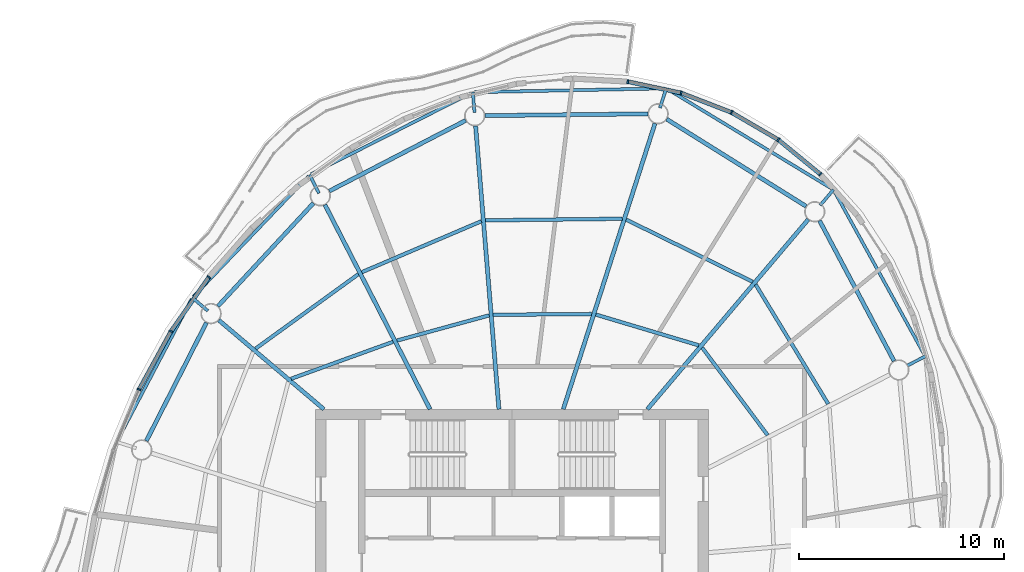
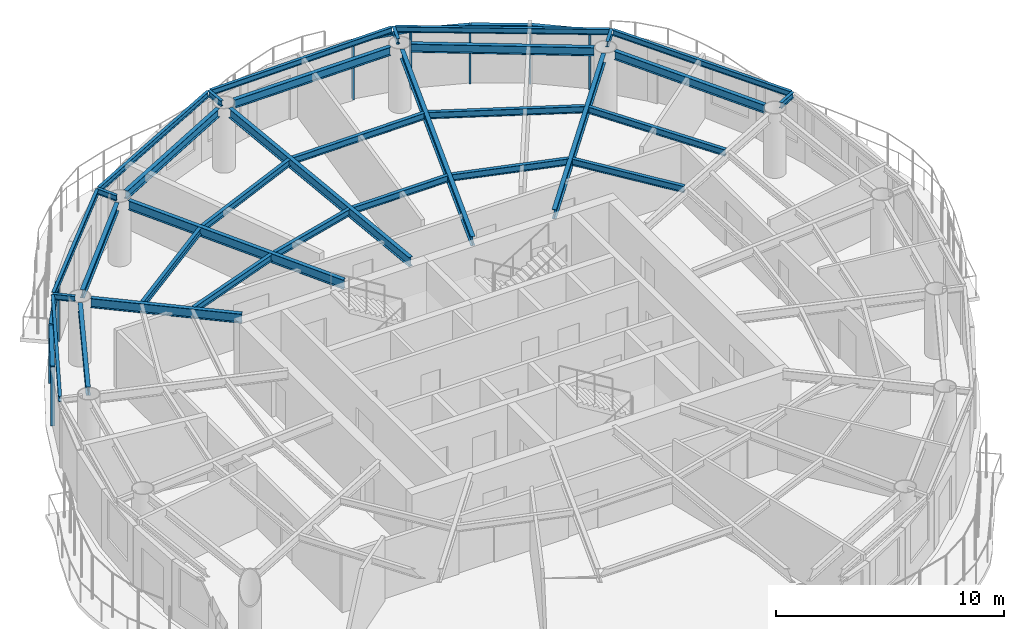
# One storey, part 5 of 13: 33 beams, 14 members, 7 elements without a shape of their own.
"""IFC4 building model written with IfcOpenShell, lengths in metres."""

import ifcopenshell
import ifcopenshell.guid

model = None  # the IFC model being written
_history = None  # IfcOwnerHistory: only IFC2X3 demands one
_inside = {}  # id of a spatial element -> (the spatial element, [elements in it])
_under = {}  # id of a project, library or spatial element -> (it, [spatial elements below it])
_declared = {}  # id of a project -> (the project, [libraries it declares])
_typed = {}  # id of a type object -> (the type object, [elements of that type])
_made_of = {}  # id of a material, layer set ... -> (it, [elements and type objects made of it])


def new_model(schema):
    """Start an empty IFC model of exactly this schema.

    Asked for "IFC4X3", IfcOpenShell would pick the latest addendum, in which some entities
    have other attributes; the version numbers below select the first issue.
    IFC2X3 requires an IfcOwnerHistory on every rooted entity: one is made here for all.
    """
    global model, _history
    if schema == "IFC4X3":
        model = ifcopenshell.file(schema_version=(4, 3, 0, 0))
    else:
        model = ifcopenshell.file(schema=schema)
    _inside.clear()
    _under.clear()
    _declared.clear()
    _typed.clear()
    _made_of.clear()
    _history = None
    if model.schema == "IFC2X3":
        org = make("IfcOrganization", Name="unknown")
        user = make(
            "IfcPersonAndOrganization",
            ThePerson=make("IfcPerson", FamilyName="unknown"),
            TheOrganization=org,
        )
        app = make(
            "IfcApplication",
            ApplicationDeveloper=org,
            Version="unknown",
            ApplicationFullName="unknown",
            ApplicationIdentifier="unknown",
        )
        _history = make(
            "IfcOwnerHistory",
            OwningUser=user,
            OwningApplication=app,
            ChangeAction="ADDED",
            CreationDate=0,
        )
    return model


def make(cls, **values):
    """One entity of the class cls with the attributes given. An attribute that is None is left unset."""
    return model.create_entity(
        cls, **{name: value for name, value in values.items() if value is not None}
    )


def rooted(cls, **values):
    """An entity with a GlobalId (a new one), such as an element, a storey or a relation."""
    return make(cls, GlobalId=ifcopenshell.guid.new(), OwnerHistory=_history, **values)


def si_unit(unit_type, name, prefix=None):
    """IfcSIUnit, for example si_unit("LENGTHUNIT", "METRE", prefix="MILLI")."""
    return make("IfcSIUnit", UnitType=unit_type, Prefix=prefix, Name=name)


def assignment(units):
    """IfcUnitAssignment: the units of a project."""
    return None if units is None else make("IfcUnitAssignment", Units=units)


def point(xyz):
    """IfcCartesianPoint."""
    return None if xyz is None else make("IfcCartesianPoint", Coordinates=xyz)


def direction(xyz):
    """IfcDirection."""
    return None if xyz is None else make("IfcDirection", DirectionRatios=xyz)


def frame(location, z_axis=None, x_axis=None):
    """IfcAxis2Placement3D, a coordinate frame: its origin and axes. An axis left out is left unset."""
    return make(
        "IfcAxis2Placement3D",
        Location=point(location),
        Axis=direction(z_axis),
        RefDirection=direction(x_axis),
    )


def frame_2d(location, x_axis=None):
    """IfcAxis2Placement2D, a coordinate frame in the plane: its origin and x axis."""
    return make(
        "IfcAxis2Placement2D", Location=point(location), RefDirection=direction(x_axis)
    )


def origin():
    """The frame at (0, 0, 0) with its axes left unset."""
    return frame((0.0, 0.0, 0.0))


def origin_2d():
    """The frame at (0, 0) in the plane with its x axis left unset."""
    return frame_2d((0.0, 0.0))


def place(relative_to, where):
    """IfcLocalPlacement: puts the frame where relative to a parent placement (None: the world)."""
    return make(
        "IfcLocalPlacement", PlacementRelTo=relative_to, RelativePlacement=where
    )


def context(
    kind, dimensions, precision=None, world=None, true_north=None, identifier=None
):
    """IfcGeometricRepresentationContext, for example the 3D "Model" context."""
    return make(
        "IfcGeometricRepresentationContext",
        ContextIdentifier=identifier,
        ContextType=kind,
        CoordinateSpaceDimension=dimensions,
        Precision=precision,
        WorldCoordinateSystem=world,
        TrueNorth=true_north,
    )


def subcontext(parent, identifier, kind, view, scale=None):
    """IfcGeometricRepresentationSubContext, for example "Body" below "Model"."""
    return make(
        "IfcGeometricRepresentationSubContext",
        ContextIdentifier=identifier,
        ContextType=kind,
        ParentContext=parent,
        TargetScale=scale,
        TargetView=view,
    )


def project(units=None, contexts=None):
    """IfcProject with its units and contexts."""
    return rooted(
        "IfcProject",
        Name="project",
        RepresentationContexts=contexts,
        UnitsInContext=assignment(units),
    )


def spatial(cls, under=None, at=None, **own):
    """A site, building, storey or space (cls), placed at a placement, below another one or the project."""
    s = rooted(cls, ObjectPlacement=at, **own)
    if under is not None:
        _under.setdefault(under.id(), (under, []))[1].append(s)
    return s


def profile(cls, at=None, kind="AREA", **sizes):
    """A parametric profile (cls). Its sizes go by their IFC names, for example OverallWidth=200.0."""
    return make(cls, ProfileType=kind, Position=at, **sizes)


def rectangle(**sizes):
    """IfcRectangleProfileDef."""
    return profile("IfcRectangleProfileDef", **sizes)


def i_section(**sizes):
    """IfcIShapeProfileDef."""
    return profile("IfcIShapeProfileDef", **sizes)


def extrude(swept, where, along, depth):
    """IfcExtrudedAreaSolid: the profile swept, set in the frame where, extruded along a direction by depth."""
    return make(
        "IfcExtrudedAreaSolid",
        SweptArea=swept,
        Position=where,
        ExtrudedDirection=direction(along),
        Depth=depth,
    )


def shape(context_of_items, identifier, shape_type, items):
    """IfcShapeRepresentation: the items that make up one representation, for example the "Body"."""
    return make(
        "IfcShapeRepresentation",
        ContextOfItems=context_of_items,
        RepresentationIdentifier=identifier,
        RepresentationType=shape_type,
        Items=items,
    )


def material(Name=None, Category=None):
    """IfcMaterial."""
    return make("IfcMaterial", Name=Name, Category=Category)


def material_profile(
    of_material, cross_section, Name=None, Category=None, Priority=None
):
    """IfcMaterialProfile: a cross section and its material."""
    return make(
        "IfcMaterialProfile",
        Name=Name,
        Material=of_material,
        Profile=cross_section,
        Priority=Priority,
        Category=Category,
    )


def profile_set(profiles, Name=None, composite=None):
    """IfcMaterialProfileSet."""
    return make(
        "IfcMaterialProfileSet",
        Name=Name,
        MaterialProfiles=profiles,
        CompositeProfile=composite,
    )


def made_of(thing, what):
    """Note that an element or type object is made of a material, layer set ...; save() writes the relation."""
    if what is not None:
        _made_of.setdefault(what.id(), (what, []))[1].append(thing)
    return thing


def type_object(cls, material=None, **own):
    """A type object (cls), such as IfcWallType, which elements share."""
    return made_of(rooted(cls, **own), material)


def element(
    cls,
    number,
    at=None,
    inside=None,
    cuts=None,
    type_object=None,
    material=None,
    context=None,
    identifier="Body",
    shape_type=None,
    held_by="IfcProductDefinitionShape",
    body=None,
    shapes=None,
    **own,
):
    """One element of the class cls, such as IfcWall. Its Tag is "e" and its number.

    at: its placement. inside: the storey or other place that contains it. cuts: it is an
    opening in that element (IfcRelVoidsElement). A single representation is given by context,
    identifier, shape_type and body (its items); several are given by shapes. held_by: the class
    of the entity that holds the representations. save() writes the other relations.
    """
    e = rooted(cls, Tag="e%d" % number, ObjectPlacement=at, **own)
    if body is not None:
        shapes = [shape(context, identifier, shape_type, body)]
    if shapes is not None:
        e.Representation = make(held_by, Representations=shapes)
    if inside is not None:
        _inside.setdefault(inside.id(), (inside, []))[1].append(e)
    if cuts is not None:
        rooted(
            "IfcRelVoidsElement", RelatingBuildingElement=cuts, RelatedOpeningElement=e
        )
    if type_object is not None:
        _typed.setdefault(type_object.id(), (type_object, []))[1].append(e)
    return made_of(e, material)


def aggregate(whole, parts):
    """IfcRelAggregates: a whole, such as a stair, and the parts it consists of."""
    return rooted("IfcRelAggregates", RelatingObject=whole, RelatedObjects=parts)


def save(model, path):
    """Write the relations noted so far, then the file.

    IfcRelAggregates (storeys below a building ...), IfcRelContainedInSpatialStructure (elements
    in a storey), IfcRelDefinesByType, IfcRelAssociatesMaterial and IfcRelDeclares: one each for
    every whole, place, type object, material and project.
    """
    for whole, parts in _under.values():
        aggregate(whole, parts)
    for where, things in _inside.values():
        rooted(
            "IfcRelContainedInSpatialStructure",
            RelatedElements=things,
            RelatingStructure=where,
        )
    for kind, things in _typed.values():
        rooted("IfcRelDefinesByType", RelatedObjects=things, RelatingType=kind)
    for what, things in _made_of.values():
        rooted("IfcRelAssociatesMaterial", RelatedObjects=things, RelatingMaterial=what)
    for by, libraries in _declared.values():
        rooted("IfcRelDeclares", RelatingContext=by, RelatedDefinitions=libraries)
    model.write(path)


model = new_model("IFC4")

# Units and contexts
model_context = context("Model", 3, precision=1e-05, world=origin(), true_north=direction((0.0, 1.0)))
body_context = subcontext(model_context, "Body", "Model", "MODEL_VIEW")
ifc_project = project(units=[si_unit("LENGTHUNIT", "METRE"), si_unit("AREAUNIT", "SQUARE_METRE"), si_unit("VOLUMEUNIT", "CUBIC_METRE"), si_unit("PLANEANGLEUNIT", "RADIAN"), si_unit("MASSUNIT", "GRAM", prefix="KILO")], contexts=[model_context])

# Site, building, storey
site_placement = place(None, origin())
site = spatial("IfcSite", under=ifc_project, at=site_placement, CompositionType="ELEMENT")
building_placement = place(site_placement, origin())
building = spatial("IfcBuilding", under=site, at=building_placement, Name="Vermilion Reach Broadcast Tower", CompositionType="ELEMENT")
storey_placement = place(building_placement, frame((0.0, 0.0, 290.10009765625)))
storey = spatial("IfcBuildingStorey", under=building, at=storey_placement, Name="L72", CompositionType="ELEMENT", Elevation=290.10009765625)

# Beams
ifc_material_1 = material(Name="Steel S355J2", Category="steel")
ifc_material_profile_1 = material_profile(ifc_material_1, i_section(OverallWidth=0.14990234375, OverallDepth=0.300048828125, WebThickness=0.006591796875, FlangeThickness=0.009033203125, at=origin_2d()), Name="S355J2 HN 300x150x6.5x9")
ifc_profile_set_1 = profile_set([ifc_material_profile_1], Name="Steel S355J2")
beam_type_1 = type_object("IfcBeamType", Name="EB5 HN 300x150x6.5x9", PredefinedType="BEAM", material=ifc_profile_set_1)
beam_1_placement = place(storey_placement, frame((1.457275390625, 23.486328125, 3.2998046875), z_axis=(-0.999802674482, -0.01986484579, 0.0), x_axis=(0.01986484579, -0.999802674482, 0.0)))
element("IfcBeam", 1, at=beam_1_placement, inside=storey, type_object=beam_type_1, Name="Edge beam EB5-01", PredefinedType="BEAM", context=body_context, shape_type="SweptSolid", body=[
    extrude(i_section(OverallWidth=0.14990234375, OverallDepth=0.300048828125, WebThickness=0.006591796875, FlangeThickness=0.009033203125, at=origin_2d()), origin(), (0.0, 0.0, 1.0), 9.3037109375),
])
beam_2_placement = place(storey_placement, frame((-7.991943359375, 23.263427734375, 3.2998046875), z_axis=(-0.891880011137, -0.452272092588, 0.0), x_axis=(0.452272092588, -0.891880011137, 0.0)))
element("IfcBeam", 2, at=beam_2_placement, inside=storey, type_object=beam_type_1, Name="Edge beam EB5-02", PredefinedType="BEAM", context=body_context, shape_type="SweptSolid", body=[
    extrude(i_section(OverallWidth=0.14990234375, OverallDepth=0.300048828125, WebThickness=0.006591796875, FlangeThickness=0.009033203125, at=origin_2d()), origin(), (0.0, 0.0, 1.0), 8.790771484375),
])
beam_3_placement = place(storey_placement, frame((-15.9541015625, 19.1962890625, 3.2998046875), z_axis=(-0.690981013748, -0.722872906284, 0.0), x_axis=(0.722872906284, -0.690981013748, 0.0)))
element("IfcBeam", 3, at=beam_3_placement, inside=storey, type_object=beam_type_1, Name="Edge beam EB5-03", PredefinedType="BEAM", context=body_context, shape_type="SweptSolid", body=[
    extrude(i_section(OverallWidth=0.14990234375, OverallDepth=0.300048828125, WebThickness=0.006591796875, FlangeThickness=0.009033203125, at=origin_2d()), origin(), (0.0, 0.0, 1.0), 8.145263671875),
])
beam_4_placement = place(storey_placement, frame((-21.669921875, 13.18603515625, 3.2998046875), z_axis=(-0.464548962195, -0.885547436179, 0.0), x_axis=(0.885547436179, -0.464548962195, 0.0)))
element("IfcBeam", 4, at=beam_4_placement, inside=storey, type_object=beam_type_1, Name="Edge beam EB5-04", PredefinedType="BEAM", context=body_context, shape_type="SweptSolid", body=[
    extrude(i_section(OverallWidth=0.14990234375, OverallDepth=0.300048828125, WebThickness=0.006591796875, FlangeThickness=0.009033203125, at=origin_2d()), origin(), (0.0, 0.0, 1.0), 7.80908203125),
])
beam_5_placement = place(storey_placement, frame((14.166015625, 10.45263671875, 3.2998046875), z_axis=(-0.482546675149, 0.875870256546, 0.0), x_axis=(-0.875870256546, -0.482546675149, 0.0)))
element("IfcBeam", 5, at=beam_5_placement, inside=storey, type_object=beam_type_1, Name="Edge beam EB5-15", PredefinedType="BEAM", context=body_context, shape_type="SweptSolid", body=[
    extrude(i_section(OverallWidth=0.14990234375, OverallDepth=0.300048828125, WebThickness=0.006591796875, FlangeThickness=0.009033203125, at=origin_2d()), origin(), (0.0, 0.0, 1.0), 9.1474609375),
])
beam_6_placement = place(storey_placement, frame((9.648193359375, 18.57421875, 3.2998046875), z_axis=(-0.855309714799, 0.51811706377, 0.0), x_axis=(-0.51811706377, -0.855309714799, 0.0)))
element("IfcBeam", 6, at=beam_6_placement, inside=storey, type_object=beam_type_1, Name="Edge beam EB5-16", PredefinedType="BEAM", context=body_context, shape_type="SweptSolid", body=[
    extrude(i_section(OverallWidth=0.14990234375, OverallDepth=0.300048828125, WebThickness=0.006591796875, FlangeThickness=0.009033203125, at=origin_2d()), origin(), (0.0, 0.0, 1.0), 9.40673828125),
])
ifc_material_2 = material(Name="Steel S355J2", Category="steel")
ifc_material_profile_2 = material_profile(ifc_material_2, i_section(OverallWidth=0.199951171875, OverallDepth=0.5, WebThickness=0.010009765625, FlangeThickness=0.01611328125, at=origin_2d()), Name="S355J2 HN 500x200x10x16")
ifc_profile_set_2 = profile_set([ifc_material_profile_2], Name="Steel S355J2")
beam_type_2 = type_object("IfcBeamType", Name="G5 HN 500x200x10x16", PredefinedType="BEAM", material=ifc_profile_set_2)
beam_7_placement = place(storey_placement, frame((-3.497314453125, 7.800048828125, 3.199951171875), z_axis=(0.305545401295, 0.952177508528, 0.0), x_axis=(-0.952177508528, 0.305545401295, 0.0)))
element("IfcBeam", 7, at=beam_7_placement, inside=storey, type_object=beam_type_2, Name="Girder G5-01", PredefinedType="BEAM", context=body_context, shape_type="SweptSolid", body=[
    extrude(i_section(OverallWidth=0.199951171875, OverallDepth=0.5, WebThickness=0.010009765625, FlangeThickness=0.01611328125, at=origin_2d()), origin(), (0.0, 0.0, 1.0), 14.672607421875),
])
beam_8_placement = place(storey_placement, frame((-6.642578125, 7.800048828125, 3.199951171875), z_axis=(-0.082123744247, 0.996622140347, 0.0), x_axis=(-0.996622140347, -0.082123744247, 0.0)))
element("IfcBeam", 8, at=beam_8_placement, inside=storey, type_object=beam_type_2, Name="Girder G5-02", PredefinedType="BEAM", context=body_context, shape_type="SweptSolid", body=[
    extrude(i_section(OverallWidth=0.199951171875, OverallDepth=0.5, WebThickness=0.010009765625, FlangeThickness=0.01611328125, at=origin_2d()), origin(), (0.0, 0.0, 1.0), 13.89794921875),
])
beam_9_placement = place(storey_placement, frame((-10.010498046875, 7.800048828125, 3.199951171875), z_axis=(-0.457258168112, 0.889334002327, 0.0), x_axis=(-0.889334002327, -0.457258168112, 0.0)))
element("IfcBeam", 9, at=beam_9_placement, inside=storey, type_object=beam_type_2, Name="Girder G5-03", PredefinedType="BEAM", context=body_context, shape_type="SweptSolid", body=[
    extrude(i_section(OverallWidth=0.199951171875, OverallDepth=0.5, WebThickness=0.010009765625, FlangeThickness=0.01611328125, at=origin_2d()), origin(), (0.0, 0.0, 1.0), 11.236328125),
])
beam_10_placement = place(storey_placement, frame((-15.20068359375, 7.800048828125, 3.199951171875), z_axis=(-0.762793125612, 0.646642596431, 0.0), x_axis=(-0.646642596431, -0.762793125612, 0.0)))
element("IfcBeam", 10, at=beam_10_placement, inside=storey, type_object=beam_type_2, Name="Girder G5-04", PredefinedType="BEAM", context=body_context, shape_type="SweptSolid", body=[
    extrude(i_section(OverallWidth=0.199951171875, OverallDepth=0.5, WebThickness=0.010009765625, FlangeThickness=0.01611328125, at=origin_2d()), origin(), (0.0, 0.0, 1.0), 6.732421875),
])
beam_11_placement = place(storey_placement, frame((0.612548828125, 7.800048828125, 3.199951171875), z_axis=(0.646658335602, 0.762779782766, 0.0), x_axis=(-0.762779782766, 0.646658335602, 0.0)))
element("IfcBeam", 11, at=beam_11_placement, inside=storey, type_object=beam_type_2, Name="Girder G5-16", PredefinedType="BEAM", context=body_context, shape_type="SweptSolid", body=[
    extrude(i_section(OverallWidth=0.199951171875, OverallDepth=0.5, WebThickness=0.010009765625, FlangeThickness=0.01611328125, at=origin_2d()), origin(), (0.0, 0.0, 1.0), 12.16064453125),
])
ifc_material_3 = material(Name="Steel S355J2", Category="steel")
ifc_material_profile_3 = material_profile(ifc_material_3, i_section(OverallWidth=0.14990234375, OverallDepth=0.300048828125, WebThickness=0.006591796875, FlangeThickness=0.009033203125, at=origin_2d()), Name="S355J2 HN 300x150x6.5x9")
ifc_profile_set_3 = profile_set([ifc_material_profile_3], Name="Steel S355J2")
beam_type_3 = type_object("IfcBeamType", Name="GS5 HN 300x150x6.5x9", PredefinedType="BEAM", material=ifc_profile_set_3)
beam_12_placement = place(storey_placement, frame((1.231201171875, 22.53564453125, 3.2998046875), z_axis=(0.305369089551, 0.952234067416, 0.0), x_axis=(-0.952234067416, 0.305369089551, 0.0)))
element("IfcBeam", 12, at=beam_12_placement, inside=storey, type_object=beam_type_3, Name="Cantilever stub GS5-01", PredefinedType="BEAM", context=body_context, shape_type="SweptSolid", body=[
    extrude(i_section(OverallWidth=0.14990234375, OverallDepth=0.300048828125, WebThickness=0.006591796875, FlangeThickness=0.009033203125, at=origin_2d()), origin(), (0.0, 0.0, 1.0), 1.000244140625),
])
for number, where, z_axis, x_axis, name in (
    (13, (-7.837646484375, 22.303466796875, 3.2998046875), (-0.082035152054, 0.996629436565, 0.0), (-0.996629436565, -0.082035152054, 0.0), "Cantilever stub GS5-02"),
    (14, (-15.442138671875, 18.3642578125, 3.2998046875), (-0.457050088444, 0.889440957373, 0.0), (-0.889440957373, -0.457050088444, 0.0), "Cantilever stub GS5-03"),
):
    element("IfcBeam", number, at=place(storey_placement, frame(where, z_axis=z_axis, x_axis=x_axis)), inside=storey, type_object=beam_type_3, Name=name, PredefinedType="BEAM", context=body_context, shape_type="SweptSolid", body=[
        extrude(i_section(OverallWidth=0.14990234375, OverallDepth=0.300048828125, WebThickness=0.006591796875, FlangeThickness=0.009033203125, at=origin_2d()), origin(), (0.0, 0.0, 1.0), 1.0),
    ])
beam_13_placement = place(storey_placement, frame((-20.871337890625, 12.607421875, 3.2998046875), z_axis=(-0.762811928474, 0.646620415529, 0.0), x_axis=(-0.646620415529, -0.762811928474, 0.0)))
element("IfcBeam", 15, at=beam_13_placement, inside=storey, type_object=beam_type_3, Name="Cantilever stub GS5-04", PredefinedType="BEAM", context=body_context, shape_type="SweptSolid", body=[
    extrude(i_section(OverallWidth=0.14990234375, OverallDepth=0.300048828125, WebThickness=0.006591796875, FlangeThickness=0.009033203125, at=origin_2d()), origin(), (0.0, 0.0, 1.0), 1.000244140625),
])
for number, where, z_axis, x_axis, name in (
    (16, (13.31298828125, 9.9296875, 3.2998046875), (0.889290639729, 0.457342495391, 0.0), (-0.457342495391, 0.889290639729, 0.0), "Cantilever stub GS5-15"),
    (17, (9.066650390625, 17.772216796875, 3.2998046875), (0.646598772701, 0.762830274138, 0.0), (-0.762830274138, 0.646598772701, 0.0), "Cantilever stub GS5-16"),
):
    element("IfcBeam", number, at=place(storey_placement, frame(where, z_axis=z_axis, x_axis=x_axis)), inside=storey, type_object=beam_type_3, Name=name, PredefinedType="BEAM", context=body_context, shape_type="SweptSolid", body=[
        extrude(i_section(OverallWidth=0.14990234375, OverallDepth=0.300048828125, WebThickness=0.006591796875, FlangeThickness=0.009033203125, at=origin_2d()), origin(), (0.0, 0.0, 1.0), 0.999755859375),
    ])
ifc_material_4 = material(Name="Steel S355J2", Category="steel")
ifc_material_profile_4 = material_profile(ifc_material_4, i_section(OverallWidth=0.199951171875, OverallDepth=0.449951171875, WebThickness=0.009033203125, FlangeThickness=0.013916015625, at=origin_2d()), Name="S355J2 HN 450x200x9x14")
ifc_profile_set_4 = profile_set([ifc_material_profile_4], Name="Steel S355J2")
beam_type_4 = type_object("IfcBeamType", Name="RB5 HN 450x200x9x14", PredefinedType="BEAM", material=ifc_profile_set_4)
beam_14_placement = place(storey_placement, frame((0.638427734375, 22.24169921875, 3.224853515625), z_axis=(-0.999940445231, -0.010913569149, 0.0), x_axis=(0.010913569149, -0.999940445231, 0.0)))
element("IfcBeam", 18, at=beam_14_placement, inside=storey, type_object=beam_type_4, Name="Ring beam RB5-01", PredefinedType="BEAM", context=body_context, shape_type="SweptSolid", body=[
    extrude(i_section(OverallWidth=0.199951171875, OverallDepth=0.449951171875, WebThickness=0.009033203125, FlangeThickness=0.013916015625, at=origin_2d()), origin(), (0.0, 0.0, 1.0), 7.9638671875),
])
beam_15_placement = place(storey_placement, frame((-8.268798828125, 21.91943359375, 3.224853515625), z_axis=(-0.887960248279, -0.459920207729, 0.0), x_axis=(0.459920207729, -0.887960248279, 0.0)))
element("IfcBeam", 19, at=beam_15_placement, inside=storey, type_object=beam_type_4, Name="Ring beam RB5-02", PredefinedType="BEAM", context=body_context, shape_type="SweptSolid", body=[
    extrude(i_section(OverallWidth=0.199951171875, OverallDepth=0.449951171875, WebThickness=0.009033203125, FlangeThickness=0.013916015625, at=origin_2d()), origin(), (0.0, 0.0, 1.0), 7.5048828125),
])
beam_16_placement = place(storey_placement, frame((-15.716796875, 17.87109375, 3.224853515625), z_axis=(-0.679837550075, -0.733362738014, 0.0), x_axis=(0.733362738014, -0.679837550075, 0.0)))
element("IfcBeam", 20, at=beam_16_placement, inside=storey, type_object=beam_type_4, Name="Ring beam RB5-03", PredefinedType="BEAM", context=body_context, shape_type="SweptSolid", body=[
    extrude(i_section(OverallWidth=0.199951171875, OverallDepth=0.449951171875, WebThickness=0.009033203125, FlangeThickness=0.013916015625, at=origin_2d()), origin(), (0.0, 0.0, 1.0), 6.85546875),
])
beam_17_placement = place(storey_placement, frame((-20.944091796875, 12.03125, 3.224853515625), z_axis=(-0.453052302855, -0.891483937532, 0.0), x_axis=(0.891483937532, -0.453052302855, 0.0)))
element("IfcBeam", 21, at=beam_17_placement, inside=storey, type_object=beam_type_4, Name="Ring beam RB5-04", PredefinedType="BEAM", context=body_context, shape_type="SweptSolid", body=[
    extrude(i_section(OverallWidth=0.199951171875, OverallDepth=0.449951171875, WebThickness=0.009033203125, FlangeThickness=0.013916015625, at=origin_2d()), origin(), (0.0, 0.0, 1.0), 6.47900390625),
])
beam_18_placement = place(storey_placement, frame((12.671142578125, 10.161865234375, 3.224853515625), z_axis=(-0.468767917375, 0.883321368269, 0.0), x_axis=(-0.883321368269, -0.468767917375, 0.0)))
element("IfcBeam", 22, at=beam_18_placement, inside=storey, type_object=beam_type_4, Name="Ring beam RB5-15", PredefinedType="BEAM", context=body_context, shape_type="SweptSolid", body=[
    extrude(i_section(OverallWidth=0.199951171875, OverallDepth=0.449951171875, WebThickness=0.009033203125, FlangeThickness=0.013916015625, at=origin_2d()), origin(), (0.0, 0.0, 1.0), 7.759033203125),
])
beam_19_placement = place(storey_placement, frame((8.375732421875, 17.722412109375, 3.224853515625), z_axis=(-0.847914653245, 0.530132757724, 0.0), x_axis=(-0.530132757724, -0.847914653245, 0.0)))
element("IfcBeam", 23, at=beam_19_placement, inside=storey, type_object=beam_type_4, Name="Ring beam RB5-16", PredefinedType="BEAM", context=body_context, shape_type="SweptSolid", body=[
    extrude(i_section(OverallWidth=0.199951171875, OverallDepth=0.449951171875, WebThickness=0.009033203125, FlangeThickness=0.013916015625, at=origin_2d()), origin(), (0.0, 0.0, 1.0), 8.035400390625),
])
ifc_material_5 = material(Name="Steel S355J2", Category="steel")
ifc_material_profile_5 = material_profile(ifc_material_5, i_section(OverallWidth=0.175048828125, OverallDepth=0.35009765625, WebThickness=0.007080078125, FlangeThickness=0.010986328125, at=origin_2d()), Name="S355J2 HN 350x175x7x11")
ifc_profile_set_5 = profile_set([ifc_material_profile_5], Name="Steel S355J2")
beam_type_5 = type_object("IfcBeamType", Name="SB5 HN 350x175x7x11", PredefinedType="BEAM", material=ifc_profile_set_5)
beam_20_placement = place(storey_placement, frame((-2.108154296875, 12.4560546875, 3.27490234375), z_axis=(-0.999968312294, -0.007960804474, 0.0), x_axis=(0.007960804474, -0.999968312294, 0.0)))
element("IfcBeam", 24, at=beam_20_placement, inside=storey, type_object=beam_type_5, Name="Secondary beam SB5-01-1", PredefinedType="BEAM", context=body_context, shape_type="SweptSolid", body=[
    extrude(i_section(OverallWidth=0.175048828125, OverallDepth=0.35009765625, WebThickness=0.007080078125, FlangeThickness=0.010986328125, at=origin_2d()), origin(), (0.0, 0.0, 1.0), 4.81494140625),
])
beam_21_placement = place(storey_placement, frame((-0.614013671875, 17.11279296875, 3.27490234375), z_axis=(-0.999932654133, -0.011605481368, 0.0), x_axis=(0.011605481368, -0.999932654133, 0.0)))
element("IfcBeam", 25, at=beam_21_placement, inside=storey, type_object=beam_type_5, Name="Secondary beam SB5-01-2", PredefinedType="BEAM", context=body_context, shape_type="SweptSolid", body=[
    extrude(i_section(OverallWidth=0.175048828125, OverallDepth=0.35009765625, WebThickness=0.007080078125, FlangeThickness=0.010986328125, at=origin_2d()), origin(), (0.0, 0.0, 1.0), 6.689697265625),
])
beam_22_placement = place(storey_placement, frame((-7.12109375, 12.39013671875, 3.27490234375), z_axis=(-0.964547496851, -0.263909314573, 0.0), x_axis=(0.263909314573, -0.964547496851, 0.0)))
element("IfcBeam", 26, at=beam_22_placement, inside=storey, type_object=beam_type_5, Name="Secondary beam SB5-02-1", PredefinedType="BEAM", context=body_context, shape_type="SweptSolid", body=[
    extrude(i_section(OverallWidth=0.175048828125, OverallDepth=0.35009765625, WebThickness=0.007080078125, FlangeThickness=0.010986328125, at=origin_2d()), origin(), (0.0, 0.0, 1.0), 4.6689453125),
])
beam_23_placement = place(storey_placement, frame((-7.50048828125, 16.99267578125, 3.27490234375), z_axis=(-0.919880986172, -0.392197617637, 0.0), x_axis=(0.392197617637, -0.919880986172, 0.0)))
element("IfcBeam", 27, at=beam_23_placement, inside=storey, type_object=beam_type_5, Name="Secondary beam SB5-02-2", PredefinedType="BEAM", context=body_context, shape_type="SweptSolid", body=[
    extrude(i_section(OverallWidth=0.175048828125, OverallDepth=0.35009765625, WebThickness=0.007080078125, FlangeThickness=0.010986328125, at=origin_2d()), origin(), (0.0, 0.0, 1.0), 6.351806640625),
])
beam_24_placement = place(storey_placement, frame((-11.81787109375, 11.0966796875, 3.27490234375), z_axis=(-0.940220108875, -0.340567389613, 0.0), x_axis=(0.340567389613, -0.940220108875, 0.0)))
element("IfcBeam", 28, at=beam_24_placement, inside=storey, type_object=beam_type_5, Name="Secondary beam SB5-03-1", PredefinedType="BEAM", context=body_context, shape_type="SweptSolid", body=[
    extrude(i_section(OverallWidth=0.175048828125, OverallDepth=0.35009765625, WebThickness=0.007080078125, FlangeThickness=0.010986328125, at=origin_2d()), origin(), (0.0, 0.0, 1.0), 5.303466796875),
])
beam_25_placement = place(storey_placement, frame((-13.517578125, 14.402587890625, 3.27490234375), z_axis=(-0.809771251518, -0.586745703192, 0.0), x_axis=(0.586745703192, -0.809771251518, 0.0)))
element("IfcBeam", 29, at=beam_25_placement, inside=storey, type_object=beam_type_5, Name="Secondary beam SB5-03-2", PredefinedType="BEAM", context=body_context, shape_type="SweptSolid", body=[
    extrude(i_section(OverallWidth=0.175048828125, OverallDepth=0.35009765625, WebThickness=0.007080078125, FlangeThickness=0.010986328125, at=origin_2d()), origin(), (0.0, 0.0, 1.0), 6.20361328125),
])
beam_26_placement = place(storey_placement, frame((6.492919921875, 6.53564453125, 3.27490234375), z_axis=(-0.599055582645, 0.800707442767, 0.0), x_axis=(-0.800707442767, -0.599055582645, 0.0)))
element("IfcBeam", 30, at=beam_26_placement, inside=storey, type_object=beam_type_5, Name="Secondary beam SB5-15-1", PredefinedType="BEAM", context=body_context, shape_type="SweptSolid", body=[
    extrude(i_section(OverallWidth=0.175048828125, OverallDepth=0.35009765625, WebThickness=0.007080078125, FlangeThickness=0.010986328125, at=origin_2d()), origin(), (0.0, 0.0, 1.0), 5.337890625),
])
beam_27_placement = place(storey_placement, frame((9.455078125, 8.058837890625, 3.27490234375), z_axis=(-0.519272962556, 0.854608442714, 0.0), x_axis=(-0.854608442714, -0.519272962556, 0.0)))
element("IfcBeam", 31, at=beam_27_placement, inside=storey, type_object=beam_type_5, Name="Secondary beam SB5-15-2", PredefinedType="BEAM", context=body_context, shape_type="SweptSolid", body=[
    extrude(i_section(OverallWidth=0.175048828125, OverallDepth=0.35009765625, WebThickness=0.007080078125, FlangeThickness=0.010986328125, at=origin_2d()), origin(), (0.0, 0.0, 1.0), 6.82763671875),
])
beam_28_placement = place(storey_placement, frame((3.129150390625, 10.92333984375, 3.27490234375), z_axis=(-0.958124906971, 0.286350593925, 0.0), x_axis=(-0.286350593925, -0.958124906971, 0.0)))
element("IfcBeam", 32, at=beam_28_placement, inside=storey, type_object=beam_type_5, Name="Secondary beam SB5-16-1", PredefinedType="BEAM", context=body_context, shape_type="SweptSolid", body=[
    extrude(i_section(OverallWidth=0.175048828125, OverallDepth=0.35009765625, WebThickness=0.007080078125, FlangeThickness=0.010986328125, at=origin_2d()), origin(), (0.0, 0.0, 1.0), 5.25634765625),
])
beam_29_placement = place(storey_placement, frame((5.762451171875, 14.029541015625, 3.27490234375), z_axis=(-0.897335928087, 0.441348198325, 0.0), x_axis=(-0.441348198325, -0.897335928087, 0.0)))
element("IfcBeam", 33, at=beam_29_placement, inside=storey, type_object=beam_type_5, Name="Secondary beam SB5-16-2", PredefinedType="BEAM", context=body_context, shape_type="SweptSolid", body=[
    extrude(i_section(OverallWidth=0.175048828125, OverallDepth=0.35009765625, WebThickness=0.007080078125, FlangeThickness=0.010986328125, at=origin_2d()), origin(), (0.0, 0.0, 1.0), 6.887451171875),
])

# Curtain wall, member
ifc_material_6 = material(Name="Low-e laminated clear glass in aluminium frame", Category="aluminium")
curtain_wall_type = type_object("IfcCurtainWallType", Name="Slot curtain wall", PredefinedType="NOTDEFINED", material=ifc_material_6)
placement = place(storey_placement, origin())
curtain_wall_1 = element("IfcCurtainWall", 34, at=placement, inside=storey, type_object=curtain_wall_type, Name="Slot curtain wall L72 46", PredefinedType="NOTDEFINED")
ifc_material_7 = material(Name="Anodised aluminium", Category="aluminium")
ifc_material_profile_6 = material_profile(ifc_material_7, rectangle(XDim=0.199951171875, YDim=0.080078125, at=origin_2d()), Name="Slot mullion 80 x 200")
ifc_profile_set_6 = profile_set([ifc_material_profile_6], Name="Anodised aluminium")
member_type_1 = type_object("IfcMemberType", Name="Slot mullion 80 x 200", PredefinedType="MULLION", material=ifc_profile_set_6)
member_1_placement = place(storey_placement, frame((9.0693359375, 19.292236328125, 0.0), z_axis=(0.0, 0.0, 1.0), x_axis=(-0.691557277499, -0.722321626381, 0.0)))
member_1 = element("IfcMember", 35, at=member_1_placement, type_object=member_type_1, Name="Slot mullion L72 46", PredefinedType="MULLION", context=body_context, shape_type="SweptSolid", body=[
    extrude(rectangle(XDim=0.199951171875, YDim=0.080078125, at=origin_2d()), origin(), (0.0, 0.0, 1.0), 3.14990234375),
])

curtain_wall_2 = element("IfcCurtainWall", 36, at=placement, inside=storey, type_object=curtain_wall_type, Name="Slot curtain wall L72 47", PredefinedType="NOTDEFINED")
member_2_placement = place(storey_placement, frame((7.009033203125, 20.980224609375, 0.0), z_axis=(0.0, 0.0, 1.0), x_axis=(-0.570554797034, -0.82125953485, 0.0)))
member_2 = element("IfcMember", 37, at=member_2_placement, type_object=member_type_1, Name="Slot mullion L72 47", PredefinedType="MULLION", context=body_context, shape_type="SweptSolid", body=[
    extrude(rectangle(XDim=0.199951171875, YDim=0.080078125, at=origin_2d()), origin(), (0.0, 0.0, 1.0), 3.14990234375),
])

curtain_wall_3 = element("IfcCurtainWall", 38, at=placement, inside=storey, type_object=curtain_wall_type, Name="Slot curtain wall L72 00", PredefinedType="NOTDEFINED")
member_3_placement = place(storey_placement, frame((4.727783203125, 22.310791015625, 0.0), z_axis=(0.0, 0.0, 1.0), x_axis=(-0.433344608745, -0.901228300749, 0.0)))
member_3 = element("IfcMember", 39, at=member_3_placement, type_object=member_type_1, Name="Slot mullion L72 00", PredefinedType="MULLION", context=body_context, shape_type="SweptSolid", body=[
    extrude(rectangle(XDim=0.199951171875, YDim=0.080078125, at=origin_2d()), origin(), (0.0, 0.0, 1.0), 3.14990234375),
])

# Curtain wall, members
curtain_wall_4 = element("IfcCurtainWall", 40, at=placement, inside=storey, type_object=curtain_wall_type, Name="Slot curtain wall L72 01", PredefinedType="NOTDEFINED")
member_4_placement = place(storey_placement, frame((2.26416015625, 23.26171875, 0.0), z_axis=(0.0, 0.0, 1.0), x_axis=(-0.28520461729, -0.958466653711, 0.0)))
member_4 = element("IfcMember", 41, at=member_4_placement, type_object=member_type_1, Name="Slot mullion L72 01", PredefinedType="MULLION", context=body_context, shape_type="SweptSolid", body=[
    extrude(rectangle(XDim=0.199951171875, YDim=0.080078125, at=origin_2d()), origin(), (0.0, 0.0, 1.0), 3.14990234375),
])
member_5_placement = place(storey_placement, frame((-0.3408203125, 23.817138671875, 0.0), z_axis=(0.0, 0.0, 1.0), x_axis=(-0.132368772067, -0.991200538832, 0.0)))
member_5 = element("IfcMember", 42, at=member_5_placement, type_object=member_type_1, Name="Slot mullion L72 02", PredefinedType="MULLION", context=body_context, shape_type="SweptSolid", body=[
    extrude(rectangle(XDim=0.199951171875, YDim=0.080078125, at=origin_2d()), origin(), (0.0, 0.0, 1.0), 3.14990234375),
])

# Curtain wall, member
curtain_wall_5 = element("IfcCurtainWall", 43, at=placement, inside=storey, type_object=curtain_wall_type, Name="Slot curtain wall L72 10", PredefinedType="NOTDEFINED")
member_6_placement = place(storey_placement, frame((-20.826904296875, 14.253662109375, 0.0), z_axis=(0.0, 0.0, 1.0), x_axis=(0.78713980845, -0.616774611956, 0.0)))
member_6 = element("IfcMember", 44, at=member_6_placement, type_object=member_type_1, Name="Slot mullion L72 10", PredefinedType="MULLION", context=body_context, shape_type="SweptSolid", body=[
    extrude(rectangle(XDim=0.199951171875, YDim=0.080078125, at=origin_2d()), origin(), (0.0, 0.0, 1.0), 3.14990234375),
])

curtain_wall_6 = element("IfcCurtainWall", 45, at=placement, inside=storey, type_object=curtain_wall_type, Name="Slot curtain wall L72 11", PredefinedType="NOTDEFINED")
member_7_placement = place(storey_placement, frame((-22.673583984375, 11.6103515625, 0.0), z_axis=(0.0, 0.0, 1.0), x_axis=(0.849470061746, -0.527636820358, 0.0)))
member_7 = element("IfcMember", 46, at=member_7_placement, type_object=member_type_1, Name="Slot mullion L72 11", PredefinedType="MULLION", context=body_context, shape_type="SweptSolid", body=[
    extrude(rectangle(XDim=0.199951171875, YDim=0.080078125, at=origin_2d()), origin(), (0.0, 0.0, 1.0), 3.14990234375),
])

curtain_wall_7 = element("IfcCurtainWall", 47, at=placement, inside=storey, type_object=curtain_wall_type, Name="Slot curtain wall L72 12", PredefinedType="NOTDEFINED")
member_8_placement = place(storey_placement, frame((-24.233642578125, 8.767333984375, 0.0), z_axis=(0.0, 0.0, 1.0), x_axis=(0.90122838961, -0.433344423941, 0.0)))
member_8 = element("IfcMember", 48, at=member_8_placement, type_object=member_type_1, Name="Slot mullion L72 12", PredefinedType="MULLION", context=body_context, shape_type="SweptSolid", body=[
    extrude(rectangle(XDim=0.199951171875, YDim=0.080078125, at=origin_2d()), origin(), (0.0, 0.0, 1.0), 3.14990234375),
])
aggregate(curtain_wall_7, [member_8])

# Member
ifc_material_8 = material(Name="Anodised aluminium", Category="aluminium")
ifc_material_profile_7 = material_profile(ifc_material_8, rectangle(XDim=0.199951171875, YDim=0.10009765625, at=origin_2d()), Name="Slot transom 200 x 100")
ifc_profile_set_7 = profile_set([ifc_material_profile_7], Name="Anodised aluminium")
member_type_2 = type_object("IfcMemberType", Name="Slot transom 200 x 100", PredefinedType="USERDEFINED", material=ifc_profile_set_7)
member_9_placement = place(storey_placement, frame((9.03857421875, 19.317626953125, 3.099853515625), z_axis=(-0.773607747291, 0.633664779936, 0.0), x_axis=(-0.633664779936, -0.773607747291, 0.0)))
member_9 = element("IfcMember", 49, at=member_9_placement, type_object=member_type_2, Name="Slot transom L72 46.1", ObjectType="TRANSOM", PredefinedType="USERDEFINED", context=body_context, shape_type="SweptSolid", body=[
    extrude(rectangle(XDim=0.199951171875, YDim=0.10009765625, at=origin_2d()), origin(), (0.0, 0.0, 1.0), 2.583740234375),
])

aggregate(curtain_wall_1, [member_1, member_9])

member_10_placement = place(storey_placement, frame((6.974365234375, 21.00048828125, 3.099853515625), z_axis=(-0.86382039502, 0.503799886014, 0.0), x_axis=(-0.503799886014, -0.86382039502, 0.0)))
member_10 = element("IfcMember", 50, at=member_10_placement, type_object=member_type_2, Name="Slot transom L72 47.1", ObjectType="TRANSOM", PredefinedType="USERDEFINED", context=body_context, shape_type="SweptSolid", body=[
    extrude(rectangle(XDim=0.199951171875, YDim=0.10009765625, at=origin_2d()), origin(), (0.0, 0.0, 1.0), 2.560546875),
])

aggregate(curtain_wall_2, [member_2, member_10])

member_11_placement = place(storey_placement, frame((4.6904296875, 22.3251953125, 3.099853515625), z_axis=(-0.932912453884, 0.360103253788, 0.0), x_axis=(-0.360103253788, -0.932912453884, 0.0)))
member_11 = element("IfcMember", 51, at=member_11_placement, type_object=member_type_2, Name="Slot transom L72 00.1", ObjectType="TRANSOM", PredefinedType="USERDEFINED", context=body_context, shape_type="SweptSolid", body=[
    extrude(rectangle(XDim=0.199951171875, YDim=0.10009765625, at=origin_2d()), origin(), (0.0, 0.0, 1.0), 2.560791015625),
])

aggregate(curtain_wall_3, [member_3, member_11])

member_12_placement = place(storey_placement, frame((2.22509765625, 23.27001953125, 3.099853515625), z_axis=(-0.978012113443, 0.208548090277, 0.0), x_axis=(-0.208548090277, -0.978012113443, 0.0)))
member_12 = element("IfcMember", 52, at=member_12_placement, type_object=member_type_2, Name="Slot transom L72 01.1", ObjectType="TRANSOM", PredefinedType="USERDEFINED", context=body_context, shape_type="SweptSolid", body=[
    extrude(rectangle(XDim=0.199951171875, YDim=0.10009765625, at=origin_2d()), origin(), (0.0, 0.0, 1.0), 2.583740234375),
])

aggregate(curtain_wall_4, [member_4, member_5, member_12])

member_13_placement = place(storey_placement, frame((-20.849853515625, 14.220947265625, 3.099853515625), z_axis=(-0.572701291225, -0.819764131339, 0.0), x_axis=(0.819764131339, -0.572701291225, 0.0)))
member_13 = element("IfcMember", 53, at=member_13_placement, type_object=member_type_2, Name="Slot transom L72 10.1", ObjectType="TRANSOM", PredefinedType="USERDEFINED", context=body_context, shape_type="SweptSolid", body=[
    extrude(rectangle(XDim=0.199951171875, YDim=0.10009765625, at=origin_2d()), origin(), (0.0, 0.0, 1.0), 3.144287109375),
])

aggregate(curtain_wall_5, [member_6, member_13])

member_14_placement = place(storey_placement, frame((-22.69287109375, 11.575439453125, 3.099853515625), z_axis=(-0.481035510101, -0.876701110996, 0.0), x_axis=(0.876701110996, -0.481035510101, 0.0)))
member_14 = element("IfcMember", 54, at=member_14_placement, type_object=member_type_2, Name="Slot transom L72 11.1", ObjectType="TRANSOM", PredefinedType="USERDEFINED", context=body_context, shape_type="SweptSolid", body=[
    extrude(rectangle(XDim=0.199951171875, YDim=0.10009765625, at=origin_2d()), origin(), (0.0, 0.0, 1.0), 3.162841796875),
])

aggregate(curtain_wall_6, [member_7, member_14])

save(model, "model.ifc")
